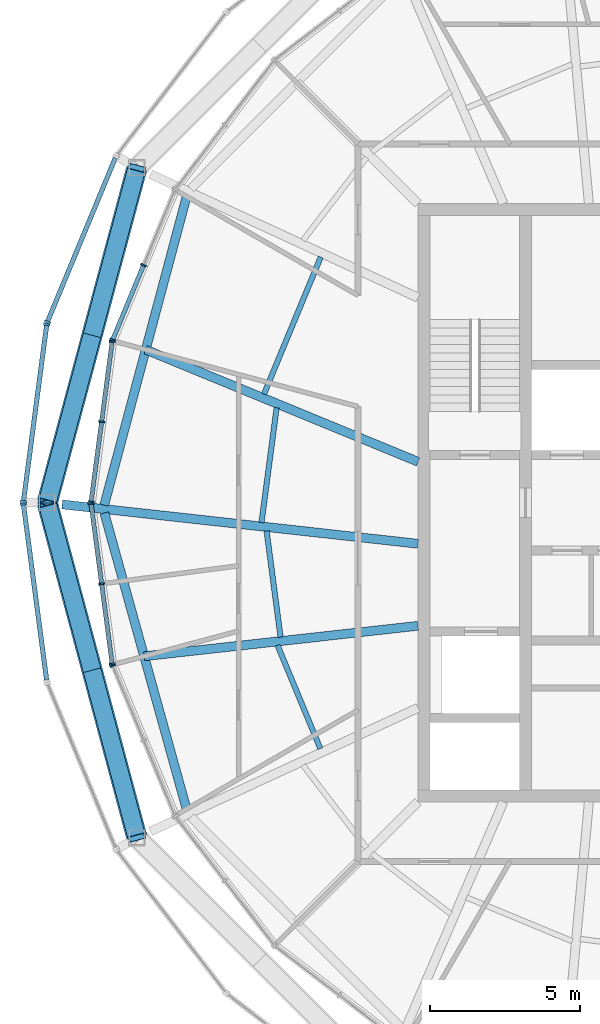
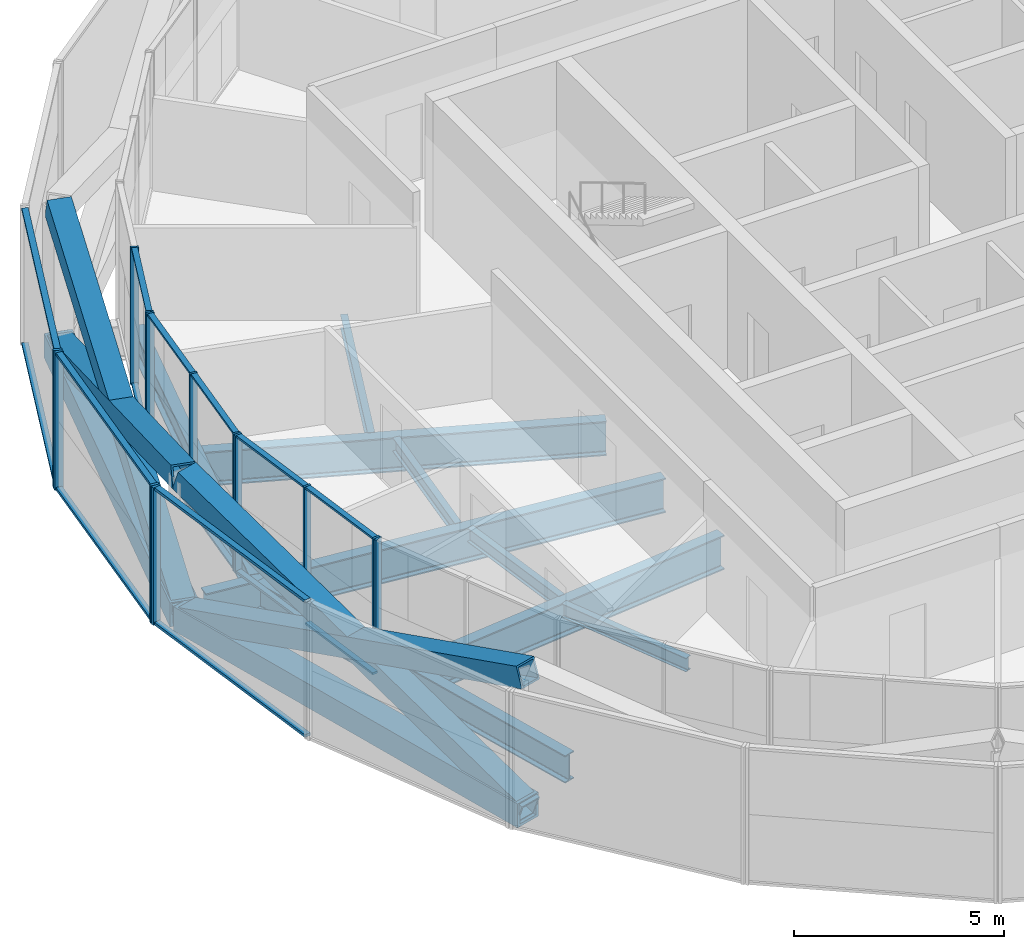
# One storey, part 4 of 17: 33 members, 11 beams, 7 elements without a shape of their own.
"""IFC4 building model written with IfcOpenShell, lengths in metres."""

from ifc_helpers import new_model, si_unit, direction, frame, origin, origin_2d, place, context, subcontext, project, spatial, rectangle, hollow_rectangle, i_section, extrude, material, material_profile, profile_set, type_object, element, aggregate, save


model = new_model("IFC4")

# Units and contexts
model_context = context("Model", 3, precision=1e-05, world=origin(), true_north=direction((0.0, 1.0)))
body_context = subcontext(model_context, "Body", "Model", "MODEL_VIEW")
ifc_project = project(units=[si_unit("LENGTHUNIT", "METRE"), si_unit("AREAUNIT", "SQUARE_METRE"), si_unit("VOLUMEUNIT", "CUBIC_METRE"), si_unit("PLANEANGLEUNIT", "RADIAN"), si_unit("MASSUNIT", "GRAM", prefix="KILO")], contexts=[model_context])

# Site, building, storey
site_placement = place(None, origin())
site = spatial("IfcSite", under=ifc_project, at=site_placement, CompositionType="ELEMENT")
building_placement = place(site_placement, origin())
building = spatial("IfcBuilding", under=site, at=building_placement, Name="Golbaran Civic Tower", CompositionType="ELEMENT")
storey_placement = place(building_placement, frame((0.0, 0.0, 280.0)))
storey = spatial("IfcBuildingStorey", under=building, at=storey_placement, Name="L68", CompositionType="ELEMENT", Elevation=280.0)

# Members
ifc_material_1 = material(Name="Steel S355", Category="steel")
ifc_material_profile_1 = material_profile(ifc_material_1, hollow_rectangle(XDim=0.60009765625, YDim=0.60009765625, WallThickness=0.050048828125, at=origin_2d()), Name="BOX 600x600x50")
ifc_profile_set_1 = profile_set([ifc_material_profile_1], Name="Steel S355")
member_type_1 = type_object("IfcMemberType", Name="CROWN FRAME LOWER BRACE BOX 600x600x50", PredefinedType="BRACE", material=ifc_profile_set_1)
for number, where, z_axis, x_axis, name in (
    (1, (-19.39892578125, 11.199951171875, -0.7099609375), (-0.244666247524, -0.913119435827, 0.326115505975), (0.965926716951, -0.258815721085, 0.0), "Crown frame lower brace 6A"),
    (2, (-22.39990234375, 0.0, -0.7099609375), (0.244666247524, 0.913119435827, 0.326115505975), (-0.965926716951, 0.258815721085, 0.0), "Crown frame lower brace 6B"),
    (3, (-22.39990234375, 0.0, -0.7099609375), (0.244666247524, -0.913119435827, 0.326115505975), (0.965926716951, 0.258815721085, 0.0), "Crown frame lower brace 7A"),
    (4, (-19.39892578125, -11.199951171875, -0.7099609375), (-0.244666247524, 0.913119435827, 0.326115505975), (-0.965926716951, -0.258815721085, 0.0), "Crown frame lower brace 7B"),
):
    element("IfcMember", number, at=place(storey_placement, frame(where, z_axis=z_axis, x_axis=x_axis)), inside=storey, type_object=member_type_1, Name=name, PredefinedType="BRACE", context=body_context, shape_type="SweptSolid", body=[
        extrude(hollow_rectangle(XDim=0.60009765625, YDim=0.60009765625, WallThickness=0.050048828125, at=origin_2d()), origin(), (0.0, 0.0, 1.0), 12.265625),
    ])

# Beams
ifc_material_profile_2 = material_profile(ifc_material_1, hollow_rectangle(XDim=0.699951171875, YDim=0.699951171875, WallThickness=0.080078125, at=origin_2d()), Name="BOX 700x700x80")
ifc_profile_set_2 = profile_set([ifc_material_profile_2], Name="Steel S355")
beam_type_1 = type_object("IfcBeamType", Name="DIAGRID RING TIE BOX 700x700x80", PredefinedType="BEAM", material=ifc_profile_set_2)
for number, where, z_axis, x_axis, name in (
    (5, (-19.39892578125, 11.199951171875, -0.7099609375), (-0.258815721085, -0.965926716951, 0.0), (0.965926716951, -0.258815721085, 0.0), "Ring tie 150.00 L68"),
    (6, (-22.39990234375, 0.0, -0.7099609375), (0.258815721085, -0.965926716951, 0.0), (0.965926716951, 0.258815721085, 0.0), "Ring tie 180.00 L68"),
):
    element("IfcBeam", number, at=place(storey_placement, frame(where, z_axis=z_axis, x_axis=x_axis)), inside=storey, type_object=beam_type_1, Name=name, PredefinedType="BEAM", context=body_context, shape_type="SweptSolid", body=[
        extrude(hollow_rectangle(XDim=0.699951171875, YDim=0.699951171875, WallThickness=0.080078125, at=origin_2d()), origin(), (0.0, 0.0, 1.0), 11.594970703125),
    ])
ifc_material_profile_3 = material_profile(ifc_material_1, i_section(OverallWidth=0.300048828125, OverallDepth=0.800048828125, WebThickness=0.017578125, FlangeThickness=0.032958984375, FilletRadius=0.030029296875, at=origin_2d()), Name="HEB 800")
ifc_profile_set_3 = profile_set([ifc_material_profile_3], Name="Steel S355")
beam_type_2 = type_object("IfcBeamType", Name="EDGE BEAM HEB 800", PredefinedType="BEAM", material=ifc_profile_set_3)
beam_1_placement = place(storey_placement, frame((-17.725830078125, 10.28369140625, -0.60009765625), z_axis=(-0.257960121844, -0.966155564875, 0.0), x_axis=(0.966155564875, -0.257960121844, 0.0)))
element("IfcBeam", 7, at=beam_1_placement, inside=storey, type_object=beam_type_2, Name="Edge beam 150.00 L68", PredefinedType="BEAM", context=body_context, shape_type="SweptSolid", body=[
    extrude(i_section(OverallWidth=0.300048828125, OverallDepth=0.800048828125, WebThickness=0.017578125, FlangeThickness=0.032958984375, FilletRadius=0.030029296875, at=origin_2d()), origin(), (0.0, 0.0, 1.0), 10.726806640625),
])
beam_2_placement = place(storey_placement, frame((-20.4892578125, -0.342041015625, -0.60009765625), z_axis=(0.267689014056, -0.963505366749, 0.0), x_axis=(0.963505366749, 0.267689014056, 0.0)))
element("IfcBeam", 8, at=beam_2_placement, inside=storey, type_object=beam_type_2, Name="Edge beam 180.00 L68", PredefinedType="BEAM", context=body_context, shape_type="SweptSolid", body=[
    extrude(i_section(OverallWidth=0.300048828125, OverallDepth=0.800048828125, WebThickness=0.017578125, FlangeThickness=0.032958984375, FilletRadius=0.030029296875, at=origin_2d()), origin(), (0.0, 0.0, 1.0), 10.318603515625),
])
ifc_material_profile_4 = material_profile(ifc_material_1, i_section(OverallWidth=0.179931640625, OverallDepth=0.39990234375, WebThickness=0.008544921875, FlangeThickness=0.013427734375, FilletRadius=0.02099609375, at=origin_2d()), Name="IPE 400")
ifc_profile_set_4 = profile_set([ifc_material_profile_4], Name="Steel S355")
beam_type_3 = type_object("IfcBeamType", Name="FLOOR INFILL BEAM IPE 400", PredefinedType="BEAM", material=ifc_profile_set_4)
beam_3_placement = place(storey_placement, frame((-13.252197265625, 8.216552734375, -0.39990234375), z_axis=(-0.382696532812, -0.923874106019, 0.0), x_axis=(0.923874106019, -0.382696532812, 0.0)))
element("IfcBeam", 9, at=beam_3_placement, inside=storey, type_object=beam_type_3, Name="Infill beam 157.50 L68", PredefinedType="BEAM", context=body_context, shape_type="SweptSolid", body=[
    extrude(i_section(OverallWidth=0.179931640625, OverallDepth=0.39990234375, WebThickness=0.008544921875, FlangeThickness=0.013427734375, FilletRadius=0.02099609375, at=origin_2d()), origin(), (0.0, 0.0, 1.0), 4.9619140625),
])
beam_4_placement = place(storey_placement, frame((-14.72802734375, 3.177001953125, -0.39990234375), z_axis=(-0.130519754353, -0.991445708914, 0.0), x_axis=(0.991445708914, -0.130519754353, 0.0)))
element("IfcBeam", 10, at=beam_4_placement, inside=storey, type_object=beam_type_3, Name="Infill beam 172.50 L68", PredefinedType="BEAM", context=body_context, shape_type="SweptSolid", body=[
    extrude(i_section(OverallWidth=0.179931640625, OverallDepth=0.39990234375, WebThickness=0.008544921875, FlangeThickness=0.013427734375, FilletRadius=0.02099609375, at=origin_2d()), origin(), (0.0, 0.0, 1.0), 3.8720703125),
])
beam_5_placement = place(storey_placement, frame((-15.063720703125, -0.942138671875, -0.39990234375), z_axis=(0.130539107774, -0.991443160923, 0.0), x_axis=(0.991443160923, 0.130539107774, 0.0)))
element("IfcBeam", 11, at=beam_5_placement, inside=storey, type_object=beam_type_3, Name="Infill beam 187.50 L68", PredefinedType="BEAM", context=body_context, shape_type="SweptSolid", body=[
    extrude(i_section(OverallWidth=0.179931640625, OverallDepth=0.39990234375, WebThickness=0.008544921875, FlangeThickness=0.013427734375, FilletRadius=0.02099609375, at=origin_2d()), origin(), (0.0, 0.0, 1.0), 3.58349609375),
])
beam_6_placement = place(storey_placement, frame((-14.696533203125, -4.767822265625, -0.39990234375), z_axis=(0.382709282091, -0.923868824781, 0.0), x_axis=(0.923868824781, 0.382709282091, 0.0)))
element("IfcBeam", 12, at=beam_6_placement, inside=storey, type_object=beam_type_3, Name="Infill beam 202.50 L68", PredefinedType="BEAM", context=body_context, shape_type="SweptSolid", body=[
    extrude(i_section(OverallWidth=0.179931640625, OverallDepth=0.39990234375, WebThickness=0.008544921875, FlangeThickness=0.013427734375, FilletRadius=0.02099609375, at=origin_2d()), origin(), (0.0, 0.0, 1.0), 3.739501953125),
])

# Curtain wall, members
ifc_material_2 = material(Name="Aluminium and glass", Category="aluminium")
curtain_wall_type_1 = type_object("IfcCurtainWallType", Name="INNER SKIN CURTAIN WALL EXECUTIVE", PredefinedType="NOTDEFINED", material=ifc_material_2)
curtain_wall_1_placement = place(storey_placement, origin())
curtain_wall_1 = element("IfcCurtainWall", 13, at=curtain_wall_1_placement, inside=storey, type_object=curtain_wall_type_1, Name="Inner skin L68 facet 11 CW2", ObjectType="INNER SKIN", PredefinedType="USERDEFINED")
ifc_material_3 = material(Name="Aluminium", Category="aluminium")
ifc_material_profile_5 = material_profile(ifc_material_3, rectangle(XDim=0.199951171875, YDim=0.06005859375, at=origin_2d()), Name="INNER SKIN CURTAIN WALL EXECUTIVE MULLION")
ifc_profile_set_5 = profile_set([ifc_material_profile_5], Name="Aluminium")
member_type_2 = type_object("IfcMemberType", Name="INNER SKIN CURTAIN WALL EXECUTIVE MULLION", PredefinedType="MULLION", material=ifc_profile_set_5)
member_1_placement = place(storey_placement, frame((-19.177734375, 7.943603515625, 0.0), z_axis=(0.0, 0.0, 1.0), x_axis=(0.923879532518, -0.382683432349, 0.0)))
member_1 = element("IfcMember", 14, at=member_1_placement, type_object=member_type_2, Name="CW2 mullion 2", PredefinedType="MULLION", context=body_context, shape_type="SweptSolid", body=[
    extrude(rectangle(XDim=0.199951171875, YDim=0.06005859375, at=origin_2d()), origin(), (0.0, 0.0, 1.0), 4.0),
])
member_2_placement = place(storey_placement, frame((-20.212158203125, 5.446533203125, 0.0), z_axis=(0.0, 0.0, 1.0), x_axis=(0.923879532518, -0.382683432349, 0.0)))
member_2 = element("IfcMember", 15, at=member_2_placement, type_object=member_type_2, Name="CW2 mullion 3", PredefinedType="MULLION", context=body_context, shape_type="SweptSolid", body=[
    extrude(rectangle(XDim=0.199951171875, YDim=0.06005859375, at=origin_2d()), origin(), (0.0, 0.0, 1.0), 4.0),
])

curtain_wall_2_placement = place(storey_placement, origin())
curtain_wall_2 = element("IfcCurtainWall", 16, at=curtain_wall_2_placement, inside=storey, type_object=curtain_wall_type_1, Name="Inner skin L68 facet 12 CW2", ObjectType="INNER SKIN", PredefinedType="USERDEFINED")
member_3_placement = place(storey_placement, frame((-20.2275390625, 5.38916015625, 0.0), z_axis=(0.0, 0.0, 1.0), x_axis=(0.991444861372, -0.130526192237, 0.0)))
member_3 = element("IfcMember", 17, at=member_3_placement, type_object=member_type_2, Name="CW2 mullion 1", PredefinedType="MULLION", context=body_context, shape_type="SweptSolid", body=[
    extrude(rectangle(XDim=0.199951171875, YDim=0.06005859375, at=origin_2d()), origin(), (0.0, 0.0, 1.0), 4.0),
])
member_4_placement = place(storey_placement, frame((-20.580322265625, 2.70947265625, 0.0), z_axis=(0.0, 0.0, 1.0), x_axis=(0.991444861372, -0.130526192237, 0.0)))
member_4 = element("IfcMember", 18, at=member_4_placement, type_object=member_type_2, Name="CW2 mullion 2", PredefinedType="MULLION", context=body_context, shape_type="SweptSolid", body=[
    extrude(rectangle(XDim=0.199951171875, YDim=0.06005859375, at=origin_2d()), origin(), (0.0, 0.0, 1.0), 4.0),
])
member_5_placement = place(storey_placement, frame((-20.93310546875, 0.02978515625, 0.0), z_axis=(0.0, 0.0, 1.0), x_axis=(0.991444861372, -0.130526192237, 0.0)))
member_5 = element("IfcMember", 19, at=member_5_placement, type_object=member_type_2, Name="CW2 mullion 3", PredefinedType="MULLION", context=body_context, shape_type="SweptSolid", body=[
    extrude(rectangle(XDim=0.199951171875, YDim=0.06005859375, at=origin_2d()), origin(), (0.0, 0.0, 1.0), 4.0),
])

curtain_wall_3_placement = place(storey_placement, origin())
curtain_wall_3 = element("IfcCurtainWall", 20, at=curtain_wall_3_placement, inside=storey, type_object=curtain_wall_type_1, Name="Inner skin L68 facet 13 CW2", ObjectType="INNER SKIN", PredefinedType="USERDEFINED")
member_6_placement = place(storey_placement, frame((-20.93310546875, -0.02978515625, 0.0), z_axis=(0.0, 0.0, 1.0), x_axis=(0.991444861372, 0.130526192237, 0.0)))
member_6 = element("IfcMember", 21, at=member_6_placement, type_object=member_type_2, Name="CW2 mullion 1", PredefinedType="MULLION", context=body_context, shape_type="SweptSolid", body=[
    extrude(rectangle(XDim=0.199951171875, YDim=0.06005859375, at=origin_2d()), origin(), (0.0, 0.0, 1.0), 4.0),
])
member_7_placement = place(storey_placement, frame((-20.580322265625, -2.70947265625, 0.0), z_axis=(0.0, 0.0, 1.0), x_axis=(0.991444861372, 0.130526192237, 0.0)))
member_7 = element("IfcMember", 22, at=member_7_placement, type_object=member_type_2, Name="CW2 mullion 2", PredefinedType="MULLION", context=body_context, shape_type="SweptSolid", body=[
    extrude(rectangle(XDim=0.199951171875, YDim=0.06005859375, at=origin_2d()), origin(), (0.0, 0.0, 1.0), 4.0),
])
member_8_placement = place(storey_placement, frame((-20.2275390625, -5.38916015625, 0.0), z_axis=(0.0, 0.0, 1.0), x_axis=(0.991444861372, 0.130526192237, 0.0)))
member_8 = element("IfcMember", 23, at=member_8_placement, type_object=member_type_2, Name="CW2 mullion 3", PredefinedType="MULLION", context=body_context, shape_type="SweptSolid", body=[
    extrude(rectangle(XDim=0.199951171875, YDim=0.06005859375, at=origin_2d()), origin(), (0.0, 0.0, 1.0), 4.0),
])

# Curtain wall, member
curtain_wall_4_placement = place(storey_placement, origin())
curtain_wall_4 = element("IfcCurtainWall", 24, at=curtain_wall_4_placement, inside=storey, type_object=curtain_wall_type_1, Name="Inner skin L68 facet 14 CW2", ObjectType="INNER SKIN", PredefinedType="USERDEFINED")
member_9_placement = place(storey_placement, frame((-20.212158203125, -5.446533203125, 0.0), z_axis=(0.0, 0.0, 1.0), x_axis=(0.923879532518, 0.382683432349, 0.0)))
member_9 = element("IfcMember", 25, at=member_9_placement, type_object=member_type_2, Name="CW2 mullion 1", PredefinedType="MULLION", context=body_context, shape_type="SweptSolid", body=[
    extrude(rectangle(XDim=0.199951171875, YDim=0.06005859375, at=origin_2d()), origin(), (0.0, 0.0, 1.0), 4.0),
])
aggregate(curtain_wall_4, [member_9])

# Member
ifc_material_profile_6 = material_profile(ifc_material_3, rectangle(XDim=0.14990234375, YDim=0.06005859375, at=origin_2d()), Name="INNER SKIN CURTAIN WALL EXECUTIVE TRANSOM")
ifc_profile_set_6 = profile_set([ifc_material_profile_6], Name="Aluminium")
member_type_3 = type_object("IfcMemberType", Name="INNER SKIN CURTAIN WALL EXECUTIVE TRANSOM", PredefinedType="USERDEFINED", material=ifc_profile_set_6)
member_10_placement = place(storey_placement, frame((-19.189208984375, 7.916015625, 0.030029296875), z_axis=(-0.382718926922, -0.923864829386, 0.0), x_axis=(0.923864829386, -0.382718926922, 0.0)))
member_10 = element("IfcMember", 26, at=member_10_placement, type_object=member_type_3, Name="CW2 transom 2.1", ObjectType="TRANSOM", PredefinedType="USERDEFINED", context=body_context, shape_type="SweptSolid", body=[
    extrude(rectangle(XDim=0.14990234375, YDim=0.06005859375, at=origin_2d()), origin(), (0.0, 0.0, 1.0), 2.642822265625),
])

member_11_placement = place(storey_placement, frame((-19.189208984375, 7.916015625, 3.969970703125), z_axis=(-0.382718926922, -0.923864829386, 0.0), x_axis=(0.923864829386, -0.382718926922, 0.0)))
member_11 = element("IfcMember", 27, at=member_11_placement, type_object=member_type_3, Name="CW2 transom 2.2", ObjectType="TRANSOM", PredefinedType="USERDEFINED", context=body_context, shape_type="SweptSolid", body=[
    extrude(rectangle(XDim=0.14990234375, YDim=0.06005859375, at=origin_2d()), origin(), (0.0, 0.0, 1.0), 2.642822265625),
])

aggregate(curtain_wall_1, [member_1, member_2, member_10, member_11])

member_12_placement = place(storey_placement, frame((-20.2314453125, 5.359375, 0.030029296875), z_axis=(-0.130535763012, -0.991443601308, 0.0), x_axis=(0.991443601308, -0.130535763012, 0.0)))
member_12 = element("IfcMember", 28, at=member_12_placement, type_object=member_type_3, Name="CW2 transom 1.1", ObjectType="TRANSOM", PredefinedType="USERDEFINED", context=body_context, shape_type="SweptSolid", body=[
    extrude(rectangle(XDim=0.14990234375, YDim=0.06005859375, at=origin_2d()), origin(), (0.0, 0.0, 1.0), 2.642822265625),
])

member_13_placement = place(storey_placement, frame((-20.2314453125, 5.359375, 3.969970703125), z_axis=(-0.130535763012, -0.991443601308, 0.0), x_axis=(0.991443601308, -0.130535763012, 0.0)))
member_13 = element("IfcMember", 29, at=member_13_placement, type_object=member_type_3, Name="CW2 transom 1.2", ObjectType="TRANSOM", PredefinedType="USERDEFINED", context=body_context, shape_type="SweptSolid", body=[
    extrude(rectangle(XDim=0.14990234375, YDim=0.06005859375, at=origin_2d()), origin(), (0.0, 0.0, 1.0), 2.642822265625),
])

member_14_placement = place(storey_placement, frame((-20.584228515625, 2.6796875, 0.030029296875), z_axis=(-0.130535763012, -0.991443601308, 0.0), x_axis=(0.991443601308, -0.130535763012, 0.0)))
member_14 = element("IfcMember", 30, at=member_14_placement, type_object=member_type_3, Name="CW2 transom 2.1", ObjectType="TRANSOM", PredefinedType="USERDEFINED", context=body_context, shape_type="SweptSolid", body=[
    extrude(rectangle(XDim=0.14990234375, YDim=0.06005859375, at=origin_2d()), origin(), (0.0, 0.0, 1.0), 2.642822265625),
])

member_15_placement = place(storey_placement, frame((-20.584228515625, 2.6796875, 3.969970703125), z_axis=(-0.130535763012, -0.991443601308, 0.0), x_axis=(0.991443601308, -0.130535763012, 0.0)))
member_15 = element("IfcMember", 31, at=member_15_placement, type_object=member_type_3, Name="CW2 transom 2.2", ObjectType="TRANSOM", PredefinedType="USERDEFINED", context=body_context, shape_type="SweptSolid", body=[
    extrude(rectangle(XDim=0.14990234375, YDim=0.06005859375, at=origin_2d()), origin(), (0.0, 0.0, 1.0), 2.642822265625),
])

aggregate(curtain_wall_2, [member_3, member_4, member_5, member_12, member_13, member_14, member_15])

member_16_placement = place(storey_placement, frame((-20.92919921875, -0.0595703125, 0.030029296875), z_axis=(0.130535763012, -0.991443601308, 0.0), x_axis=(0.991443601308, 0.130535763012, 0.0)))
member_16 = element("IfcMember", 32, at=member_16_placement, type_object=member_type_3, Name="CW2 transom 1.1", ObjectType="TRANSOM", PredefinedType="USERDEFINED", context=body_context, shape_type="SweptSolid", body=[
    extrude(rectangle(XDim=0.14990234375, YDim=0.06005859375, at=origin_2d()), origin(), (0.0, 0.0, 1.0), 2.642822265625),
])

member_17_placement = place(storey_placement, frame((-20.92919921875, -0.0595703125, 3.969970703125), z_axis=(0.130535763012, -0.991443601308, 0.0), x_axis=(0.991443601308, 0.130535763012, 0.0)))
member_17 = element("IfcMember", 33, at=member_17_placement, type_object=member_type_3, Name="CW2 transom 1.2", ObjectType="TRANSOM", PredefinedType="USERDEFINED", context=body_context, shape_type="SweptSolid", body=[
    extrude(rectangle(XDim=0.14990234375, YDim=0.06005859375, at=origin_2d()), origin(), (0.0, 0.0, 1.0), 2.642822265625),
])

member_18_placement = place(storey_placement, frame((-20.576416015625, -2.7392578125, 0.030029296875), z_axis=(0.130535763012, -0.991443601308, 0.0), x_axis=(0.991443601308, 0.130535763012, 0.0)))
member_18 = element("IfcMember", 34, at=member_18_placement, type_object=member_type_3, Name="CW2 transom 2.1", ObjectType="TRANSOM", PredefinedType="USERDEFINED", context=body_context, shape_type="SweptSolid", body=[
    extrude(rectangle(XDim=0.14990234375, YDim=0.06005859375, at=origin_2d()), origin(), (0.0, 0.0, 1.0), 2.642822265625),
])

member_19_placement = place(storey_placement, frame((-20.576416015625, -2.7392578125, 3.969970703125), z_axis=(0.130535763012, -0.991443601308, 0.0), x_axis=(0.991443601308, 0.130535763012, 0.0)))
member_19 = element("IfcMember", 35, at=member_19_placement, type_object=member_type_3, Name="CW2 transom 2.2", ObjectType="TRANSOM", PredefinedType="USERDEFINED", context=body_context, shape_type="SweptSolid", body=[
    extrude(rectangle(XDim=0.14990234375, YDim=0.06005859375, at=origin_2d()), origin(), (0.0, 0.0, 1.0), 2.642822265625),
])

aggregate(curtain_wall_3, [member_6, member_7, member_8, member_16, member_17, member_18, member_19])

# Curtain wall, member
curtain_wall_type_2 = type_object("IfcCurtainWallType", Name="OUTER SKIN TERRACOTTA SCREEN", PredefinedType="NOTDEFINED", material=ifc_material_2)
curtain_wall_5_placement = place(storey_placement, origin())
curtain_wall_5 = element("IfcCurtainWall", 36, at=curtain_wall_5_placement, inside=storey, type_object=curtain_wall_type_2, Name="Outer skin L68 facet 11 CW3", ObjectType="OUTER SKIN", PredefinedType="USERDEFINED")
ifc_material_profile_7 = material_profile(ifc_material_3, rectangle(XDim=0.219970703125, YDim=0.080078125, at=origin_2d()), Name="OUTER SKIN TERRACOTTA SCREEN MULLION")
ifc_profile_set_7 = profile_set([ifc_material_profile_7], Name="Aluminium")
member_type_4 = type_object("IfcMemberType", Name="OUTER SKIN TERRACOTTA SCREEN MULLION", PredefinedType="MULLION", material=ifc_profile_set_7)
member_20_placement = place(storey_placement, frame((-22.394287109375, 6.04150390625, -0.7099609375), z_axis=(0.0, 0.0, 1.0), x_axis=(0.923879532525, -0.382683432333, 0.0)))
member_20 = element("IfcMember", 37, at=member_20_placement, type_object=member_type_4, Name="CW3 mullion 2", PredefinedType="MULLION", context=body_context, shape_type="SweptSolid", body=[
    extrude(rectangle(XDim=0.219970703125, YDim=0.080078125, at=origin_2d()), origin(), (0.0, 0.0, 1.0), 4.0),
])

# Curtain wall, members
curtain_wall_6_placement = place(storey_placement, origin())
curtain_wall_6 = element("IfcCurtainWall", 38, at=curtain_wall_6_placement, inside=storey, type_object=curtain_wall_type_2, Name="Outer skin L68 facet 12 CW3", ObjectType="OUTER SKIN", PredefinedType="USERDEFINED")
member_21_placement = place(storey_placement, frame((-22.414794921875, 5.96484375, -0.7099609375), z_axis=(0.0, 0.0, 1.0), x_axis=(0.991444861374, -0.13052619222, 0.0)))
member_21 = element("IfcMember", 39, at=member_21_placement, type_object=member_type_4, Name="CW3 mullion 1", PredefinedType="MULLION", context=body_context, shape_type="SweptSolid", body=[
    extrude(rectangle(XDim=0.219970703125, YDim=0.080078125, at=origin_2d()), origin(), (0.0, 0.0, 1.0), 4.0),
])
member_22_placement = place(storey_placement, frame((-23.19482421875, 0.03955078125, -0.7099609375), z_axis=(0.0, 0.0, 1.0), x_axis=(0.991444861374, -0.13052619222, 0.0)))
member_22 = element("IfcMember", 40, at=member_22_placement, type_object=member_type_4, Name="CW3 mullion 2", PredefinedType="MULLION", context=body_context, shape_type="SweptSolid", body=[
    extrude(rectangle(XDim=0.219970703125, YDim=0.080078125, at=origin_2d()), origin(), (0.0, 0.0, 1.0), 4.0),
])

# Curtain wall, member
curtain_wall_7_placement = place(storey_placement, origin())
curtain_wall_7 = element("IfcCurtainWall", 41, at=curtain_wall_7_placement, inside=storey, type_object=curtain_wall_type_2, Name="Outer skin L68 facet 13 CW3", ObjectType="OUTER SKIN", PredefinedType="USERDEFINED")
member_23_placement = place(storey_placement, frame((-23.19482421875, -0.03955078125, -0.7099609375), z_axis=(0.0, 0.0, 1.0), x_axis=(0.991444861374, 0.13052619222, 0.0)))
member_23 = element("IfcMember", 42, at=member_23_placement, type_object=member_type_4, Name="CW3 mullion 1", PredefinedType="MULLION", context=body_context, shape_type="SweptSolid", body=[
    extrude(rectangle(XDim=0.219970703125, YDim=0.080078125, at=origin_2d()), origin(), (0.0, 0.0, 1.0), 4.0),
])

# Member
ifc_material_profile_8 = material_profile(ifc_material_3, rectangle(XDim=0.159912109375, YDim=0.080078125, at=origin_2d()), Name="OUTER SKIN TERRACOTTA SCREEN TRANSOM")
ifc_profile_set_8 = profile_set([ifc_material_profile_8], Name="Aluminium")
member_type_5 = type_object("IfcMemberType", Name="OUTER SKIN TERRACOTTA SCREEN TRANSOM", PredefinedType="USERDEFINED", material=ifc_profile_set_8)
member_24_placement = place(storey_placement, frame((-20.122314453125, 11.526123046875, -0.669921875), z_axis=(-0.382706502494, -0.923869976214, 0.0), x_axis=(0.923869976214, -0.382706502494, 0.0)))
member_24 = element("IfcMember", 43, at=member_24_placement, type_object=member_type_5, Name="CW3 transom 1.1", ObjectType="TRANSOM", PredefinedType="USERDEFINED", context=body_context, shape_type="SweptSolid", body=[
    extrude(rectangle(XDim=0.159912109375, YDim=0.080078125, at=origin_2d()), origin(), (0.0, 0.0, 1.0), 5.896484375),
])

member_25_placement = place(storey_placement, frame((-20.122314453125, 11.526123046875, 3.25), z_axis=(-0.382706502494, -0.923869976214, 0.0), x_axis=(0.923869976214, -0.382706502494, 0.0)))
member_25 = element("IfcMember", 44, at=member_25_placement, type_object=member_type_5, Name="CW3 transom 1.2", ObjectType="TRANSOM", PredefinedType="USERDEFINED", context=body_context, shape_type="SweptSolid", body=[
    extrude(rectangle(XDim=0.159912109375, YDim=0.080078125, at=origin_2d()), origin(), (0.0, 0.0, 1.0), 5.896484375),
])

aggregate(curtain_wall_5, [member_20, member_24, member_25])

member_26_placement = place(storey_placement, frame((-22.419921875, 5.92529296875, -0.669921875), z_axis=(-0.130509136774, -0.991447106617, 0.0), x_axis=(0.991447106617, -0.130509136774, 0.0)))
member_26 = element("IfcMember", 45, at=member_26_placement, type_object=member_type_5, Name="CW3 transom 1.1", ObjectType="TRANSOM", PredefinedType="USERDEFINED", context=body_context, shape_type="SweptSolid", body=[
    extrude(rectangle(XDim=0.159912109375, YDim=0.080078125, at=origin_2d()), origin(), (0.0, 0.0, 1.0), 5.896484375),
])

member_27_placement = place(storey_placement, frame((-22.419921875, 5.92529296875, 3.25), z_axis=(-0.130509136774, -0.991447106617, 0.0), x_axis=(0.991447106617, -0.130509136774, 0.0)))
member_27 = element("IfcMember", 46, at=member_27_placement, type_object=member_type_5, Name="CW3 transom 1.2", ObjectType="TRANSOM", PredefinedType="USERDEFINED", context=body_context, shape_type="SweptSolid", body=[
    extrude(rectangle(XDim=0.159912109375, YDim=0.080078125, at=origin_2d()), origin(), (0.0, 0.0, 1.0), 5.896484375),
])

aggregate(curtain_wall_6, [member_21, member_22, member_26, member_27])

member_28_placement = place(storey_placement, frame((-23.189453125, -0.079345703125, -0.669921875), z_axis=(0.130509136774, -0.991447106617, 0.0), x_axis=(0.991447106617, 0.130509136774, 0.0)))
member_28 = element("IfcMember", 47, at=member_28_placement, type_object=member_type_5, Name="CW3 transom 1.1", ObjectType="TRANSOM", PredefinedType="USERDEFINED", context=body_context, shape_type="SweptSolid", body=[
    extrude(rectangle(XDim=0.159912109375, YDim=0.080078125, at=origin_2d()), origin(), (0.0, 0.0, 1.0), 5.896484375),
])

member_29_placement = place(storey_placement, frame((-23.189453125, -0.079345703125, 3.25), z_axis=(0.130509136774, -0.991447106617, 0.0), x_axis=(0.991447106617, 0.130509136774, 0.0)))
member_29 = element("IfcMember", 48, at=member_29_placement, type_object=member_type_5, Name="CW3 transom 1.2", ObjectType="TRANSOM", PredefinedType="USERDEFINED", context=body_context, shape_type="SweptSolid", body=[
    extrude(rectangle(XDim=0.159912109375, YDim=0.080078125, at=origin_2d()), origin(), (0.0, 0.0, 1.0), 5.896484375),
])

aggregate(curtain_wall_7, [member_23, member_28, member_29])

# Beams
ifc_material_profile_9 = material_profile(ifc_material_1, i_section(OverallWidth=0.300048828125, OverallDepth=1.0, WebThickness=0.01904296875, FlangeThickness=0.035888671875, FilletRadius=0.030029296875, at=origin_2d()), Name="HEB 1000")
ifc_profile_set_9 = profile_set([ifc_material_profile_9], Name="Steel S355")
beam_type_4 = type_object("IfcBeamType", Name="RADIAL FLOOR BEAM HEB 1000", PredefinedType="BEAM", material=ifc_profile_set_9)
beam_7_placement = place(storey_placement, frame((-10.0, -1.371337890625, -0.7099609375), z_axis=(-0.99394081094, 0.109916624534, 0.0), x_axis=(-0.109916624534, -0.99394081094, 0.0)))
element("IfcBeam", 49, at=beam_7_placement, inside=storey, type_object=beam_type_4, Name="Radial beam 180.00 L68", PredefinedType="BEAM", context=body_context, shape_type="SweptSolid", body=[
    extrude(i_section(OverallWidth=0.300048828125, OverallDepth=1.0, WebThickness=0.01904296875, FlangeThickness=0.035888671875, FilletRadius=0.030029296875, at=origin_2d()), origin(), (0.0, 0.0, 1.0), 11.9697265625),
])
ifc_material_profile_10 = material_profile(ifc_material_1, i_section(OverallWidth=0.300048828125, OverallDepth=1.0, WebThickness=0.01904296875, FlangeThickness=0.035888671875, FilletRadius=0.030029296875, at=origin_2d()), Name="HEB 1000")
ifc_profile_set_10 = profile_set([ifc_material_profile_10], Name="Steel S355")
beam_type_5 = type_object("IfcBeamType", Name="SECONDARY FLOOR BEAM HEB 1000", PredefinedType="BEAM", material=ifc_profile_set_10)
beam_8_placement = place(storey_placement, frame((-10.0, 1.371337890625, -0.7099609375), z_axis=(-0.924721228964, 0.380645042926, 0.0), x_axis=(-0.380645042926, -0.924721228964, 0.0)))
element("IfcBeam", 50, at=beam_8_placement, inside=storey, type_object=beam_type_5, Name="Secondary beam 165.00 L68", PredefinedType="BEAM", context=body_context, shape_type="SweptSolid", body=[
    extrude(i_section(OverallWidth=0.300048828125, OverallDepth=1.0, WebThickness=0.01904296875, FlangeThickness=0.035888671875, FilletRadius=0.030029296875, at=origin_2d()), origin(), (0.0, 0.0, 1.0), 9.845947265625),
])
beam_9_placement = place(storey_placement, frame((-10.0, -4.1142578125, -0.7099609375), z_axis=(-0.993866274591, -0.1105885538, 0.0), x_axis=(0.1105885538, -0.993866274591, 0.0)))
element("IfcBeam", 51, at=beam_9_placement, inside=storey, type_object=beam_type_5, Name="Secondary beam 195.00 L68", PredefinedType="BEAM", context=body_context, shape_type="SweptSolid", body=[
    extrude(i_section(OverallWidth=0.300048828125, OverallDepth=1.0, WebThickness=0.01904296875, FlangeThickness=0.035888671875, FilletRadius=0.030029296875, at=origin_2d()), origin(), (0.0, 0.0, 1.0), 9.21484375),
])

save(model, "model.ifc")
